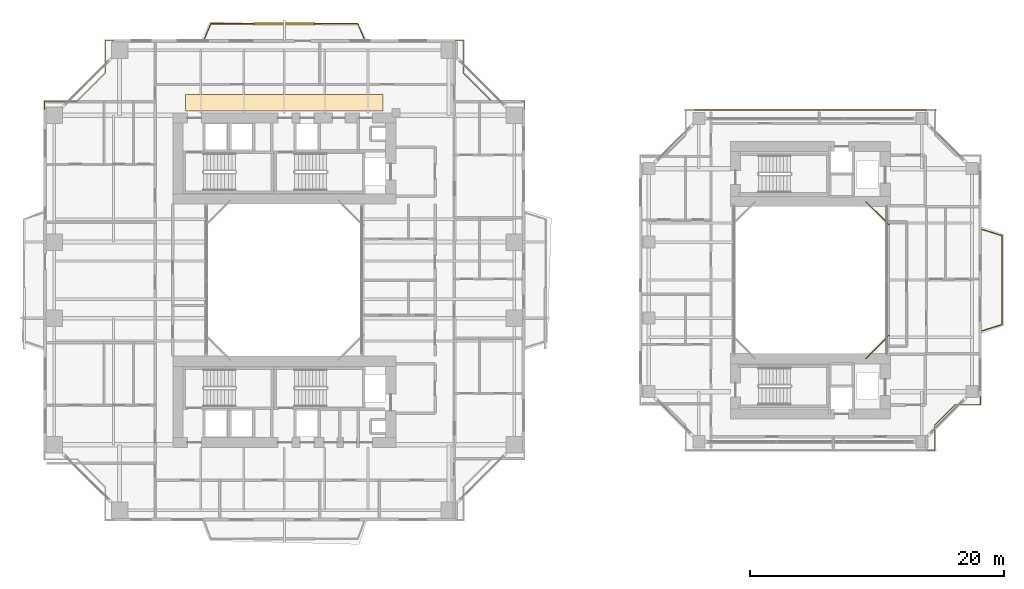
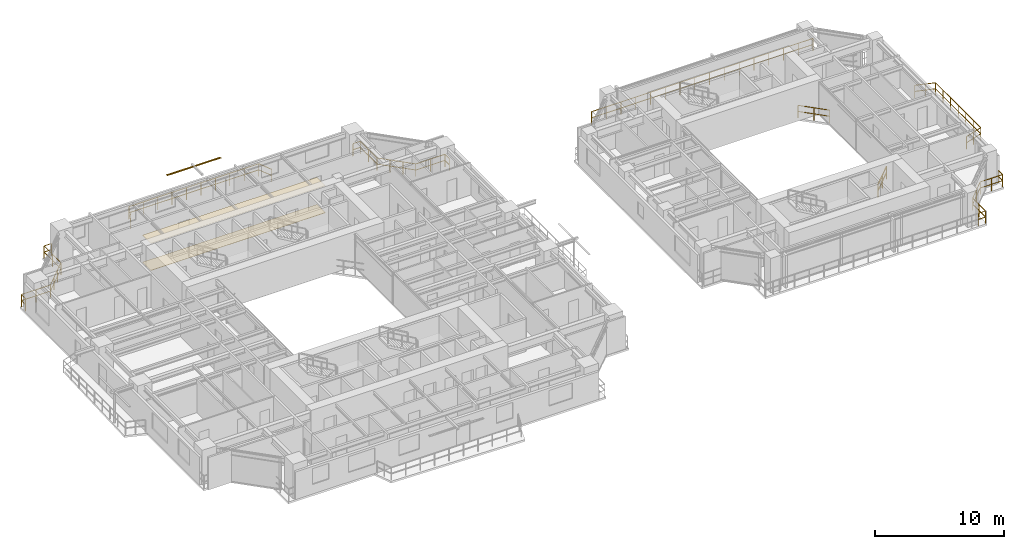
# One storey, part 23 of 24: 8 railings, 2 coverings, 1 shading device.
"""IFC4 building model written with IfcOpenShell, lengths in metres."""

import ifcopenshell
import ifcopenshell.guid

model = None  # the IFC model being written
_history = None  # IfcOwnerHistory: only IFC2X3 demands one
_inside = {}  # id of a spatial element -> (the spatial element, [elements in it])
_under = {}  # id of a project, library or spatial element -> (it, [spatial elements below it])
_declared = {}  # id of a project -> (the project, [libraries it declares])
_typed = {}  # id of a type object -> (the type object, [elements of that type])
_made_of = {}  # id of a material, layer set ... -> (it, [elements and type objects made of it])


def new_model(schema):
    """Start an empty IFC model of exactly this schema.

    Asked for "IFC4X3", IfcOpenShell would pick the latest addendum, in which some entities
    have other attributes; the version numbers below select the first issue.
    IFC2X3 requires an IfcOwnerHistory on every rooted entity: one is made here for all.
    """
    global model, _history
    if schema == "IFC4X3":
        model = ifcopenshell.file(schema_version=(4, 3, 0, 0))
    else:
        model = ifcopenshell.file(schema=schema)
    _inside.clear()
    _under.clear()
    _declared.clear()
    _typed.clear()
    _made_of.clear()
    _history = None
    if model.schema == "IFC2X3":
        org = make("IfcOrganization", Name="unknown")
        user = make(
            "IfcPersonAndOrganization",
            ThePerson=make("IfcPerson", FamilyName="unknown"),
            TheOrganization=org,
        )
        app = make(
            "IfcApplication",
            ApplicationDeveloper=org,
            Version="unknown",
            ApplicationFullName="unknown",
            ApplicationIdentifier="unknown",
        )
        _history = make(
            "IfcOwnerHistory",
            OwningUser=user,
            OwningApplication=app,
            ChangeAction="ADDED",
            CreationDate=0,
        )
    return model


def make(cls, **values):
    """One entity of the class cls with the attributes given. An attribute that is None is left unset."""
    return model.create_entity(
        cls, **{name: value for name, value in values.items() if value is not None}
    )


def rooted(cls, **values):
    """An entity with a GlobalId (a new one), such as an element, a storey or a relation."""
    return make(cls, GlobalId=ifcopenshell.guid.new(), OwnerHistory=_history, **values)


def si_unit(unit_type, name, prefix=None):
    """IfcSIUnit, for example si_unit("LENGTHUNIT", "METRE", prefix="MILLI")."""
    return make("IfcSIUnit", UnitType=unit_type, Prefix=prefix, Name=name)


def assignment(units):
    """IfcUnitAssignment: the units of a project."""
    return None if units is None else make("IfcUnitAssignment", Units=units)


def point(xyz):
    """IfcCartesianPoint."""
    return None if xyz is None else make("IfcCartesianPoint", Coordinates=xyz)


def direction(xyz):
    """IfcDirection."""
    return None if xyz is None else make("IfcDirection", DirectionRatios=xyz)


def frame(location, z_axis=None, x_axis=None):
    """IfcAxis2Placement3D, a coordinate frame: its origin and axes. An axis left out is left unset."""
    return make(
        "IfcAxis2Placement3D",
        Location=point(location),
        Axis=direction(z_axis),
        RefDirection=direction(x_axis),
    )


def frame_2d(location, x_axis=None):
    """IfcAxis2Placement2D, a coordinate frame in the plane: its origin and x axis."""
    return make(
        "IfcAxis2Placement2D", Location=point(location), RefDirection=direction(x_axis)
    )


def origin():
    """The frame at (0, 0, 0) with its axes left unset."""
    return frame((0.0, 0.0, 0.0))


def origin_2d():
    """The frame at (0, 0) in the plane with its x axis left unset."""
    return frame_2d((0.0, 0.0))


def place(relative_to, where):
    """IfcLocalPlacement: puts the frame where relative to a parent placement (None: the world)."""
    return make(
        "IfcLocalPlacement", PlacementRelTo=relative_to, RelativePlacement=where
    )


def context(
    kind, dimensions, precision=None, world=None, true_north=None, identifier=None
):
    """IfcGeometricRepresentationContext, for example the 3D "Model" context."""
    return make(
        "IfcGeometricRepresentationContext",
        ContextIdentifier=identifier,
        ContextType=kind,
        CoordinateSpaceDimension=dimensions,
        Precision=precision,
        WorldCoordinateSystem=world,
        TrueNorth=true_north,
    )


def subcontext(parent, identifier, kind, view, scale=None):
    """IfcGeometricRepresentationSubContext, for example "Body" below "Model"."""
    return make(
        "IfcGeometricRepresentationSubContext",
        ContextIdentifier=identifier,
        ContextType=kind,
        ParentContext=parent,
        TargetScale=scale,
        TargetView=view,
    )


def project(units=None, contexts=None):
    """IfcProject with its units and contexts."""
    return rooted(
        "IfcProject",
        Name="project",
        RepresentationContexts=contexts,
        UnitsInContext=assignment(units),
    )


def spatial(cls, under=None, at=None, **own):
    """A site, building, storey or space (cls), placed at a placement, below another one or the project."""
    s = rooted(cls, ObjectPlacement=at, **own)
    if under is not None:
        _under.setdefault(under.id(), (under, []))[1].append(s)
    return s


def polyline(points):
    """IfcPolyline through the points."""
    return make("IfcPolyline", Points=[point(p) for p in points])


def profile(cls, at=None, kind="AREA", **sizes):
    """A parametric profile (cls). Its sizes go by their IFC names, for example OverallWidth=200.0."""
    return make(cls, ProfileType=kind, Position=at, **sizes)


def rectangle(**sizes):
    """IfcRectangleProfileDef."""
    return profile("IfcRectangleProfileDef", **sizes)


def outline(outer, holes=None, kind="AREA"):
    """IfcArbitraryClosedProfileDef: a profile drawn as a closed curve; with holes, ...WithVoids."""
    if holes is None:
        return make("IfcArbitraryClosedProfileDef", ProfileType=kind, OuterCurve=outer)
    return make(
        "IfcArbitraryProfileDefWithVoids",
        ProfileType=kind,
        OuterCurve=outer,
        InnerCurves=holes,
    )


def extrude(swept, where, along, depth):
    """IfcExtrudedAreaSolid: the profile swept, set in the frame where, extruded along a direction by depth."""
    return make(
        "IfcExtrudedAreaSolid",
        SweptArea=swept,
        Position=where,
        ExtrudedDirection=direction(along),
        Depth=depth,
    )


def shape(context_of_items, identifier, shape_type, items):
    """IfcShapeRepresentation: the items that make up one representation, for example the "Body"."""
    return make(
        "IfcShapeRepresentation",
        ContextOfItems=context_of_items,
        RepresentationIdentifier=identifier,
        RepresentationType=shape_type,
        Items=items,
    )


def source(mapping_origin, context_of_items, identifier, shape_type, items):
    """IfcRepresentationMap: a shape defined once, which mapped items show again and again."""
    return make(
        "IfcRepresentationMap",
        MappingOrigin=mapping_origin,
        MappedRepresentation=shape(context_of_items, identifier, shape_type, items),
    )


def transform(
    local_origin,
    x_axis=None,
    y_axis=None,
    z_axis=None,
    scale=None,
    scale2=None,
    scale3=None,
    uniform=True,
):
    """IfcCartesianTransformationOperator3D, or its non-uniform kind. x_axis, y_axis, z_axis: its Axis1, 2, 3."""
    if uniform:
        return make(
            "IfcCartesianTransformationOperator3D",
            Axis1=direction(x_axis),
            Axis2=direction(y_axis),
            LocalOrigin=point(local_origin),
            Scale=scale,
            Axis3=direction(z_axis),
        )
    return make(
        "IfcCartesianTransformationOperator3DnonUniform",
        Axis1=direction(x_axis),
        Axis2=direction(y_axis),
        LocalOrigin=point(local_origin),
        Scale=scale,
        Axis3=direction(z_axis),
        Scale2=scale2,
        Scale3=scale3,
    )


def mapped(mapping_source, mapping_target):
    """IfcMappedItem: shows the shape of a source again, moved by a transform."""
    return make(
        "IfcMappedItem", MappingSource=mapping_source, MappingTarget=mapping_target
    )


def material(Name=None, Category=None):
    """IfcMaterial."""
    return make("IfcMaterial", Name=Name, Category=Category)


def layer(
    of_material, thickness, ventilated=None, Name=None, Category=None, Priority=None
):
    """IfcMaterialLayer: one layer of a wall or slab, of a material (None: an air gap)."""
    return make(
        "IfcMaterialLayer",
        Material=of_material,
        LayerThickness=thickness,
        IsVentilated=ventilated,
        Name=Name,
        Category=Category,
        Priority=Priority,
    )


def layer_set(layers, Name=None):
    """IfcMaterialLayerSet."""
    return make("IfcMaterialLayerSet", MaterialLayers=layers, LayerSetName=Name)


def material_profile(
    of_material, cross_section, Name=None, Category=None, Priority=None
):
    """IfcMaterialProfile: a cross section and its material."""
    return make(
        "IfcMaterialProfile",
        Name=Name,
        Material=of_material,
        Profile=cross_section,
        Priority=Priority,
        Category=Category,
    )


def profile_set(profiles, Name=None, composite=None):
    """IfcMaterialProfileSet."""
    return make(
        "IfcMaterialProfileSet",
        Name=Name,
        MaterialProfiles=profiles,
        CompositeProfile=composite,
    )


def made_of(thing, what):
    """Note that an element or type object is made of a material, layer set ...; save() writes the relation."""
    if what is not None:
        _made_of.setdefault(what.id(), (what, []))[1].append(thing)
    return thing


def type_object(cls, material=None, **own):
    """A type object (cls), such as IfcWallType, which elements share."""
    return made_of(rooted(cls, **own), material)


def element(
    cls,
    number,
    at=None,
    inside=None,
    cuts=None,
    type_object=None,
    material=None,
    context=None,
    identifier="Body",
    shape_type=None,
    held_by="IfcProductDefinitionShape",
    body=None,
    shapes=None,
    **own,
):
    """One element of the class cls, such as IfcWall. Its Tag is "e" and its number.

    at: its placement. inside: the storey or other place that contains it. cuts: it is an
    opening in that element (IfcRelVoidsElement). A single representation is given by context,
    identifier, shape_type and body (its items); several are given by shapes. held_by: the class
    of the entity that holds the representations. save() writes the other relations.
    """
    e = rooted(cls, Tag="e%d" % number, ObjectPlacement=at, **own)
    if body is not None:
        shapes = [shape(context, identifier, shape_type, body)]
    if shapes is not None:
        e.Representation = make(held_by, Representations=shapes)
    if inside is not None:
        _inside.setdefault(inside.id(), (inside, []))[1].append(e)
    if cuts is not None:
        rooted(
            "IfcRelVoidsElement", RelatingBuildingElement=cuts, RelatedOpeningElement=e
        )
    if type_object is not None:
        _typed.setdefault(type_object.id(), (type_object, []))[1].append(e)
    return made_of(e, material)


def aggregate(whole, parts):
    """IfcRelAggregates: a whole, such as a stair, and the parts it consists of."""
    return rooted("IfcRelAggregates", RelatingObject=whole, RelatedObjects=parts)


def save(model, path):
    """Write the relations noted so far, then the file.

    IfcRelAggregates (storeys below a building ...), IfcRelContainedInSpatialStructure (elements
    in a storey), IfcRelDefinesByType, IfcRelAssociatesMaterial and IfcRelDeclares: one each for
    every whole, place, type object, material and project.
    """
    for whole, parts in _under.values():
        aggregate(whole, parts)
    for where, things in _inside.values():
        rooted(
            "IfcRelContainedInSpatialStructure",
            RelatedElements=things,
            RelatingStructure=where,
        )
    for kind, things in _typed.values():
        rooted("IfcRelDefinesByType", RelatedObjects=things, RelatingType=kind)
    for what, things in _made_of.values():
        rooted("IfcRelAssociatesMaterial", RelatedObjects=things, RelatingMaterial=what)
    for by, libraries in _declared.values():
        rooted("IfcRelDeclares", RelatingContext=by, RelatedDefinitions=libraries)
    model.write(path)


model = new_model("IFC4")

# Units and contexts
model_context = context("Model", 3, precision=1e-05, world=origin(), true_north=direction((0.0, 1.0)))
body_context = subcontext(model_context, "Body", "Model", "MODEL_VIEW")
ifc_project = project(units=[si_unit("LENGTHUNIT", "METRE"), si_unit("AREAUNIT", "SQUARE_METRE"), si_unit("VOLUMEUNIT", "CUBIC_METRE"), si_unit("PLANEANGLEUNIT", "RADIAN"), si_unit("MASSUNIT", "GRAM", prefix="KILO"), si_unit("THERMODYNAMICTEMPERATUREUNIT", "KELVIN"), si_unit("POWERUNIT", "WATT")], contexts=[model_context])

# Site, building, storey
site_placement = place(None, origin())
site = spatial("IfcSite", under=ifc_project, at=site_placement, CompositionType="ELEMENT")
building_placement = place(site_placement, origin())
building = spatial("IfcBuilding", under=site, at=building_placement, Name="Qiaomeng Ring Towers", CompositionType="ELEMENT")
storey_placement = place(building_placement, frame((0.0, 0.0, 56.75)))
storey = spatial("IfcBuildingStorey", under=building, at=storey_placement, Name="L15", CompositionType="ELEMENT", Elevation=56.75)

# Coverings
ifc_material_1 = material(Name="Moisture-resistant gypsum ceiling board", Category="gypsum")
ifc_layer_1 = layer(ifc_material_1, 0.030029296875, Name="Moisture-resistant gypsum ceiling board")
ifc_layer_set_1 = layer_set([ifc_layer_1], Name="Moisture-resistant gypsum ceiling board")
covering_type_1 = type_object("IfcCoveringType", Name="ARC-COV-CEIL2", PredefinedType="CEILING", material=ifc_layer_set_1)
covering_1_placement = place(storey_placement, frame((0.0, 0.0, 2.550048828125)))
element("IfcCovering", 1, at=covering_1_placement, inside=storey, type_object=covering_type_1, Name="L15 Corridor Acoustic Ceiling", PredefinedType="CEILING", context=body_context, shape_type="SweptSolid", body=[
    extrude(outline(polyline([(11.199951171875, 36.35009765625), (11.199951171875, 37.64990234375), (26.800048828125, 37.64990234375), (26.800048828125, 36.35009765625), (11.199951171875, 36.35009765625)])), origin(), (0.0, 0.0, 1.0), 0.02490234375),
])
ifc_material_2 = material(Name="Vitrified porcelain floor tile", Category="ceramic")
ifc_layer_2 = layer(ifc_material_2, 0.02001953125, Name="Vitrified porcelain floor tile")
ifc_layer_set_2 = layer_set([ifc_layer_2], Name="Vitrified porcelain floor tile")
covering_type_2 = type_object("IfcCoveringType", Name="ARC-COV-FLR1", PredefinedType="FLOORING", material=ifc_layer_set_2)
covering_2_placement = place(storey_placement, origin())
element("IfcCovering", 2, at=covering_2_placement, inside=storey, type_object=covering_type_2, Name="L15 Corridor Stone Flooring", PredefinedType="FLOORING", context=body_context, shape_type="SweptSolid", body=[
    extrude(outline(polyline([(11.199951171875, 36.35009765625), (11.199951171875, 37.64990234375), (26.800048828125, 37.64990234375), (26.800048828125, 36.35009765625), (11.199951171875, 36.35009765625)])), origin(), (0.0, 0.0, 1.0), 0.02001953125),
])

# Railings
ifc_material_3 = material(Name="Low-E pale-green laminated safety glass", Category="glass")
railing_type = type_object("IfcRailingType", Name="ARC-RL-BAL1", PredefinedType="BALUSTRADE", material=ifc_material_3)
railing_1_placement = place(storey_placement, frame((37.919921875, 36.469970703125, 0.0)))
element("IfcRailing", 3, at=railing_1_placement, inside=storey, type_object=railing_type, Name="L15 Balustrade ARC-BAL-NOTCH1-L15-NE", PredefinedType="BALUSTRADE", context=body_context, shape_type="SweptSolid", body=[
    extrude(rectangle(XDim=0.048095703125, YDim=0.048095703125, at=origin_2d()), frame((0.0, 0.0, 1.17578125), z_axis=(0.0, 1.0, 0.0), x_axis=(-1.0, 0.0, 0.0)), (0.0, 0.0, 1.0), 0.650146484375),
    extrude(rectangle(XDim=0.048095703125, YDim=0.048095703125, at=origin_2d()), frame((0.0, 0.0, 0.60009765625), z_axis=(0.0, 1.0, 0.0), x_axis=(-1.0, 0.0, 0.0)), (0.0, 0.0, 1.0), 0.650146484375),
    extrude(rectangle(XDim=0.048095703125, YDim=0.048095703125, at=origin_2d()), frame((0.0, 0.650146484375, 1.17578125), z_axis=(-1.0, 0.0, 0.0), x_axis=(0.0, -1.0, 0.0)), (0.0, 0.0, 1.0), 2.599853515625),
    extrude(rectangle(XDim=0.048095703125, YDim=0.048095703125, at=origin_2d()), frame((0.0, 0.650146484375, 0.60009765625), z_axis=(-1.0, 0.0, 0.0), x_axis=(0.0, -1.0, 0.0)), (0.0, 0.0, 1.0), 2.599853515625),
    extrude(rectangle(XDim=0.048095703125, YDim=0.048095703125, at=origin_2d()), frame((-2.599853515625, 0.650146484375, 1.17578125), z_axis=(-0.707106781187, 0.707106781187, 0.0), x_axis=(-0.707106781187, -0.707106781187, 0.0)), (0.0, 0.0, 1.0), 3.111083984375),
    extrude(rectangle(XDim=0.048095703125, YDim=0.048095703125, at=origin_2d()), frame((-2.599853515625, 0.650146484375, 0.60009765625), z_axis=(-0.707106781187, 0.707106781187, 0.0), x_axis=(-0.707106781187, -0.707106781187, 0.0)), (0.0, 0.0, 1.0), 3.111083984375),
    extrude(rectangle(XDim=0.048095703125, YDim=0.048095703125, at=origin_2d()), frame((-4.7998046875, 2.85009765625, 1.17578125), z_axis=(0.0, 1.0, 0.0), x_axis=(-1.0, 0.0, 0.0)), (0.0, 0.0, 1.0), 2.599853515625),
    extrude(rectangle(XDim=0.048095703125, YDim=0.048095703125, at=origin_2d()), frame((-4.7998046875, 2.85009765625, 0.60009765625), z_axis=(0.0, 1.0, 0.0), x_axis=(-1.0, 0.0, 0.0)), (0.0, 0.0, 1.0), 2.599853515625),
    extrude(rectangle(XDim=0.048095703125, YDim=0.048095703125, at=origin_2d()), frame((-4.7998046875, 5.449951171875, 1.17578125), z_axis=(-1.0, 0.0, 0.0), x_axis=(0.0, -1.0, 0.0)), (0.0, 0.0, 1.0), 0.650146484375),
    extrude(rectangle(XDim=0.048095703125, YDim=0.048095703125, at=origin_2d()), frame((-4.7998046875, 5.449951171875, 0.60009765625), z_axis=(-1.0, 0.0, 0.0), x_axis=(0.0, -1.0, 0.0)), (0.0, 0.0, 1.0), 0.650146484375),
    extrude(rectangle(XDim=0.0419921875, YDim=0.0419921875, at=origin_2d()), origin(), (0.0, 0.0, 1.0), 1.15185546875),
    extrude(rectangle(XDim=0.0419921875, YDim=0.0419921875, at=origin_2d()), frame((0.0, 0.650146484375, 0.0)), (0.0, 0.0, 1.0), 1.15185546875),
    extrude(rectangle(XDim=0.0419921875, YDim=0.0419921875, at=origin_2d()), frame((-1.2998046875, 0.650146484375, 0.0)), (0.0, 0.0, 1.0), 1.15185546875),
    extrude(rectangle(XDim=0.0419921875, YDim=0.0419921875, at=origin_2d()), frame((-2.599853515625, 0.650146484375, 0.0)), (0.0, 0.0, 1.0), 1.15185546875),
    extrude(rectangle(XDim=0.0419921875, YDim=0.0419921875, at=origin_2d()), frame((-3.333251953125, 1.383544921875, 0.0)), (0.0, 0.0, 1.0), 1.15185546875),
    extrude(rectangle(XDim=0.0419921875, YDim=0.0419921875, at=origin_2d()), frame((-4.06640625, 2.11669921875, 0.0)), (0.0, 0.0, 1.0), 1.15185546875),
    extrude(rectangle(XDim=0.0419921875, YDim=0.0419921875, at=origin_2d()), frame((-4.7998046875, 2.85009765625, 0.0)), (0.0, 0.0, 1.0), 1.15185546875),
    extrude(rectangle(XDim=0.0419921875, YDim=0.0419921875, at=origin_2d()), frame((-4.7998046875, 4.14990234375, 0.0)), (0.0, 0.0, 1.0), 1.15185546875),
    extrude(rectangle(XDim=0.0419921875, YDim=0.0419921875, at=origin_2d()), frame((-4.7998046875, 5.449951171875, 0.0)), (0.0, 0.0, 1.0), 1.15185546875),
    extrude(rectangle(XDim=0.0419921875, YDim=0.0419921875, at=origin_2d()), frame((-5.449951171875, 5.449951171875, 0.0)), (0.0, 0.0, 1.0), 1.15185546875),
])
railing_2_placement = place(storey_placement, frame((5.530029296875, 41.919921875, 0.0)))
element("IfcRailing", 4, at=railing_2_placement, inside=storey, type_object=railing_type, Name="L15 Balustrade ARC-BAL-NOTCH1-L15-NW", PredefinedType="BALUSTRADE", context=body_context, shape_type="SweptSolid", body=[
    extrude(rectangle(XDim=0.048095703125, YDim=0.048095703125, at=origin_2d()), frame((0.0, 0.0, 1.17578125), z_axis=(-1.0, 0.0, 0.0), x_axis=(0.0, -1.0, 0.0)), (0.0, 0.0, 1.0), 0.650146484375),
    extrude(rectangle(XDim=0.048095703125, YDim=0.048095703125, at=origin_2d()), frame((0.0, 0.0, 0.60009765625), z_axis=(-1.0, 0.0, 0.0), x_axis=(0.0, -1.0, 0.0)), (0.0, 0.0, 1.0), 0.650146484375),
    extrude(rectangle(XDim=0.048095703125, YDim=0.048095703125, at=origin_2d()), frame((-0.650146484375, 0.0, 1.17578125), z_axis=(0.0, -1.0, 0.0), x_axis=(1.0, 0.0, 0.0)), (0.0, 0.0, 1.0), 2.599853515625),
    extrude(rectangle(XDim=0.048095703125, YDim=0.048095703125, at=origin_2d()), frame((-0.650146484375, 0.0, 0.60009765625), z_axis=(0.0, -1.0, 0.0), x_axis=(1.0, 0.0, 0.0)), (0.0, 0.0, 1.0), 2.599853515625),
    extrude(rectangle(XDim=0.048095703125, YDim=0.048095703125, at=origin_2d()), frame((-0.650146484375, -2.599853515625, 1.17578125), z_axis=(-0.707106781187, -0.707106781187, 0.0), x_axis=(0.707106781187, -0.707106781187, 0.0)), (0.0, 0.0, 1.0), 3.111083984375),
    extrude(rectangle(XDim=0.048095703125, YDim=0.048095703125, at=origin_2d()), frame((-0.650146484375, -2.599853515625, 0.60009765625), z_axis=(-0.707106781187, -0.707106781187, 0.0), x_axis=(0.707106781187, -0.707106781187, 0.0)), (0.0, 0.0, 1.0), 3.111083984375),
    extrude(rectangle(XDim=0.048095703125, YDim=0.048095703125, at=origin_2d()), frame((-2.85009765625, -4.7998046875, 1.17578125), z_axis=(-1.0, 0.0, 0.0), x_axis=(0.0, -1.0, 0.0)), (0.0, 0.0, 1.0), 2.599853515625),
    extrude(rectangle(XDim=0.048095703125, YDim=0.048095703125, at=origin_2d()), frame((-2.85009765625, -4.7998046875, 0.60009765625), z_axis=(-1.0, 0.0, 0.0), x_axis=(0.0, -1.0, 0.0)), (0.0, 0.0, 1.0), 2.599853515625),
    extrude(rectangle(XDim=0.048095703125, YDim=0.048095703125, at=origin_2d()), frame((-5.449951171875, -4.7998046875, 1.17578125), z_axis=(0.0, -1.0, 0.0), x_axis=(1.0, 0.0, 0.0)), (0.0, 0.0, 1.0), 0.650146484375),
    extrude(rectangle(XDim=0.048095703125, YDim=0.048095703125, at=origin_2d()), frame((-5.449951171875, -4.7998046875, 0.60009765625), z_axis=(0.0, -1.0, 0.0), x_axis=(1.0, 0.0, 0.0)), (0.0, 0.0, 1.0), 0.650146484375),
    extrude(rectangle(XDim=0.0419921875, YDim=0.0419921875, at=origin_2d()), origin(), (0.0, 0.0, 1.0), 1.15185546875),
    extrude(rectangle(XDim=0.0419921875, YDim=0.0419921875, at=origin_2d()), frame((-0.650146484375, 0.0, 0.0)), (0.0, 0.0, 1.0), 1.15185546875),
    extrude(rectangle(XDim=0.0419921875, YDim=0.0419921875, at=origin_2d()), frame((-0.650146484375, -1.2998046875, 0.0)), (0.0, 0.0, 1.0), 1.15185546875),
    extrude(rectangle(XDim=0.0419921875, YDim=0.0419921875, at=origin_2d()), frame((-0.650146484375, -2.599853515625, 0.0)), (0.0, 0.0, 1.0), 1.15185546875),
    extrude(rectangle(XDim=0.0419921875, YDim=0.0419921875, at=origin_2d()), frame((-1.383544921875, -3.333251953125, 0.0)), (0.0, 0.0, 1.0), 1.15185546875),
    extrude(rectangle(XDim=0.0419921875, YDim=0.0419921875, at=origin_2d()), frame((-2.11669921875, -4.06640625, 0.0)), (0.0, 0.0, 1.0), 1.15185546875),
    extrude(rectangle(XDim=0.0419921875, YDim=0.0419921875, at=origin_2d()), frame((-2.85009765625, -4.7998046875, 0.0)), (0.0, 0.0, 1.0), 1.15185546875),
    extrude(rectangle(XDim=0.0419921875, YDim=0.0419921875, at=origin_2d()), frame((-4.14990234375, -4.7998046875, 0.0)), (0.0, 0.0, 1.0), 1.15185546875),
    extrude(rectangle(XDim=0.0419921875, YDim=0.0419921875, at=origin_2d()), frame((-5.449951171875, -4.7998046875, 0.0)), (0.0, 0.0, 1.0), 1.15185546875),
    extrude(rectangle(XDim=0.0419921875, YDim=0.0419921875, at=origin_2d()), frame((-5.449951171875, -5.449951171875, 0.0)), (0.0, 0.0, 1.0), 1.15185546875),
])
railing_3_placement = place(storey_placement, frame((12.699951171875, 42.050048828125, 0.0)))
element("IfcRailing", 5, at=railing_3_placement, inside=storey, type_object=railing_type, Name="L15 Balustrade ARC-BAL-L15-T1-N", PredefinedType="BALUSTRADE", context=body_context, shape_type="SweptSolid", body=[
    extrude(rectangle(XDim=0.048095703125, YDim=0.048095703125, at=origin_2d()), frame((0.0, 0.0, 1.17578125), z_axis=(0.39299272826, 0.919541579014, 0.0), x_axis=(-0.919541579014, 0.39299272826, 0.0)), (0.0, 0.0, 1.0), 1.272216796875),
    extrude(rectangle(XDim=0.048095703125, YDim=0.048095703125, at=origin_2d()), frame((0.0, 0.0, 0.60009765625), z_axis=(0.39299272826, 0.919541579014, 0.0), x_axis=(-0.919541579014, 0.39299272826, 0.0)), (0.0, 0.0, 1.0), 1.272216796875),
    extrude(rectangle(XDim=0.048095703125, YDim=0.048095703125, at=origin_2d()), frame((0.5, 1.169921875, 1.17578125), z_axis=(1.0, 0.0, 0.0), x_axis=(0.0, 1.0, 0.0)), (0.0, 0.0, 1.0), 11.60009765625),
    extrude(rectangle(XDim=0.048095703125, YDim=0.048095703125, at=origin_2d()), frame((0.5, 1.169921875, 0.60009765625), z_axis=(1.0, 0.0, 0.0), x_axis=(0.0, 1.0, 0.0)), (0.0, 0.0, 1.0), 11.60009765625),
    extrude(rectangle(XDim=0.048095703125, YDim=0.048095703125, at=origin_2d()), frame((12.10009765625, 1.169921875, 1.17578125), z_axis=(0.39299272826, -0.919541579014, 0.0), x_axis=(0.919541579014, 0.39299272826, 0.0)), (0.0, 0.0, 1.0), 1.272216796875),
    extrude(rectangle(XDim=0.048095703125, YDim=0.048095703125, at=origin_2d()), frame((12.10009765625, 1.169921875, 0.60009765625), z_axis=(0.39299272826, -0.919541579014, 0.0), x_axis=(0.919541579014, 0.39299272826, 0.0)), (0.0, 0.0, 1.0), 1.272216796875),
    extrude(rectangle(XDim=0.0419921875, YDim=0.0419921875, at=origin_2d()), origin(), (0.0, 0.0, 1.0), 1.15185546875),
    extrude(rectangle(XDim=0.0419921875, YDim=0.0419921875, at=origin_2d()), frame((0.5, 1.169921875, 0.0)), (0.0, 0.0, 1.0), 1.15185546875),
    extrude(rectangle(XDim=0.0419921875, YDim=0.0419921875, at=origin_2d()), frame((1.788818359375, 1.169921875, 0.0)), (0.0, 0.0, 1.0), 1.15185546875),
    extrude(rectangle(XDim=0.0419921875, YDim=0.0419921875, at=origin_2d()), frame((3.077880859375, 1.169921875, 0.0)), (0.0, 0.0, 1.0), 1.15185546875),
    extrude(rectangle(XDim=0.0419921875, YDim=0.0419921875, at=origin_2d()), frame((4.36669921875, 1.169921875, 0.0)), (0.0, 0.0, 1.0), 1.15185546875),
    extrude(rectangle(XDim=0.0419921875, YDim=0.0419921875, at=origin_2d()), frame((5.655517578125, 1.169921875, 0.0)), (0.0, 0.0, 1.0), 1.15185546875),
    extrude(rectangle(XDim=0.0419921875, YDim=0.0419921875, at=origin_2d()), frame((6.944580078125, 1.169921875, 0.0)), (0.0, 0.0, 1.0), 1.15185546875),
    extrude(rectangle(XDim=0.0419921875, YDim=0.0419921875, at=origin_2d()), frame((8.2333984375, 1.169921875, 0.0)), (0.0, 0.0, 1.0), 1.15185546875),
    extrude(rectangle(XDim=0.0419921875, YDim=0.0419921875, at=origin_2d()), frame((9.522216796875, 1.169921875, 0.0)), (0.0, 0.0, 1.0), 1.15185546875),
    extrude(rectangle(XDim=0.0419921875, YDim=0.0419921875, at=origin_2d()), frame((10.811279296875, 1.169921875, 0.0)), (0.0, 0.0, 1.0), 1.15185546875),
    extrude(rectangle(XDim=0.0419921875, YDim=0.0419921875, at=origin_2d()), frame((12.10009765625, 1.169921875, 0.0)), (0.0, 0.0, 1.0), 1.15185546875),
    extrude(rectangle(XDim=0.0419921875, YDim=0.0419921875, at=origin_2d()), frame((12.60009765625, 0.0, 0.0)), (0.0, 0.0, 1.0), 1.15185546875),
])
railing_4_placement = place(storey_placement, frame((64.8798828125, 16.820068359375, 0.0)))
element("IfcRailing", 6, at=railing_4_placement, inside=storey, type_object=railing_type, Name="L15 Balustrade ARC-BAL-WELL2-L15-1", PredefinedType="BALUSTRADE", context=body_context, shape_type="SweptSolid", body=[
    extrude(rectangle(XDim=0.048095703125, YDim=0.048095703125, at=origin_2d()), frame((0.0, 0.0, 1.17578125), z_axis=(0.707106781187, 0.707106781187, 0.0), x_axis=(-0.707106781187, 0.707106781187, 0.0)), (0.0, 0.0, 1.0), 2.545654296875),
    extrude(rectangle(XDim=0.048095703125, YDim=0.048095703125, at=origin_2d()), frame((0.0, 0.0, 0.60009765625), z_axis=(0.707106781187, 0.707106781187, 0.0), x_axis=(-0.707106781187, 0.707106781187, 0.0)), (0.0, 0.0, 1.0), 2.545654296875),
    extrude(rectangle(XDim=0.0419921875, YDim=0.0419921875, at=origin_2d()), origin(), (0.0, 0.0, 1.0), 1.15185546875),
    extrude(rectangle(XDim=0.0419921875, YDim=0.0419921875, at=origin_2d()), frame((0.89990234375, 0.89990234375, 0.0)), (0.0, 0.0, 1.0), 1.15185546875),
    extrude(rectangle(XDim=0.0419921875, YDim=0.0419921875, at=origin_2d()), frame((1.800048828125, 1.800048828125, 0.0)), (0.0, 0.0, 1.0), 1.15185546875),
])
railing_5_placement = place(storey_placement, frame((66.679931640625, 27.3798828125, 0.0)))
element("IfcRailing", 7, at=railing_5_placement, inside=storey, type_object=railing_type, Name="L15 Balustrade ARC-BAL-WELL2-L15-2", PredefinedType="BALUSTRADE", context=body_context, shape_type="SweptSolid", body=[
    extrude(rectangle(XDim=0.048095703125, YDim=0.048095703125, at=origin_2d()), frame((0.0, 0.0, 1.17578125), z_axis=(-0.707106781187, 0.707106781187, 0.0), x_axis=(-0.707106781187, -0.707106781187, 0.0)), (0.0, 0.0, 1.0), 2.545654296875),
    extrude(rectangle(XDim=0.048095703125, YDim=0.048095703125, at=origin_2d()), frame((0.0, 0.0, 0.60009765625), z_axis=(-0.707106781187, 0.707106781187, 0.0), x_axis=(-0.707106781187, -0.707106781187, 0.0)), (0.0, 0.0, 1.0), 2.545654296875),
    extrude(rectangle(XDim=0.0419921875, YDim=0.0419921875, at=origin_2d()), origin(), (0.0, 0.0, 1.0), 1.15185546875),
    extrude(rectangle(XDim=0.0419921875, YDim=0.0419921875, at=origin_2d()), frame((-0.89990234375, 0.89990234375, 0.0)), (0.0, 0.0, 1.0), 1.15185546875),
    extrude(rectangle(XDim=0.0419921875, YDim=0.0419921875, at=origin_2d()), frame((-1.800048828125, 1.800048828125, 0.0)), (0.0, 0.0, 1.0), 1.15185546875),
])
railing_6_placement = place(storey_placement, frame((69.669921875, 9.580078125, 0.0)))
element("IfcRailing", 8, at=railing_6_placement, inside=storey, type_object=railing_type, Name="L15 Balustrade ARC-BAL-NOTCH2-L15-SE", PredefinedType="BALUSTRADE", context=body_context, shape_type="SweptSolid", body=[
    extrude(rectangle(XDim=0.048095703125, YDim=0.048095703125, at=origin_2d()), frame((0.0, 0.0, 1.17578125), z_axis=(1.0, 0.0, 0.0), x_axis=(0.0, 1.0, 0.0)), (0.0, 0.0, 1.0), 0.650146484375),
    extrude(rectangle(XDim=0.048095703125, YDim=0.048095703125, at=origin_2d()), frame((0.0, 0.0, 0.60009765625), z_axis=(1.0, 0.0, 0.0), x_axis=(0.0, 1.0, 0.0)), (0.0, 0.0, 1.0), 0.650146484375),
    extrude(rectangle(XDim=0.048095703125, YDim=0.048095703125, at=origin_2d()), frame((0.650146484375, 0.0, 1.17578125), z_axis=(0.0, 1.0, 0.0), x_axis=(-1.0, 0.0, 0.0)), (0.0, 0.0, 1.0), 2.0),
    extrude(rectangle(XDim=0.048095703125, YDim=0.048095703125, at=origin_2d()), frame((0.650146484375, 0.0, 0.60009765625), z_axis=(0.0, 1.0, 0.0), x_axis=(-1.0, 0.0, 0.0)), (0.0, 0.0, 1.0), 2.0),
    extrude(rectangle(XDim=0.048095703125, YDim=0.048095703125, at=origin_2d()), frame((0.650146484375, 2.0, 1.17578125), z_axis=(0.707106781187, 0.707106781187, 0.0), x_axis=(-0.707106781187, 0.707106781187, 0.0)), (0.0, 0.0, 1.0), 2.262451171875),
    extrude(rectangle(XDim=0.048095703125, YDim=0.048095703125, at=origin_2d()), frame((0.650146484375, 2.0, 0.60009765625), z_axis=(0.707106781187, 0.707106781187, 0.0), x_axis=(-0.707106781187, 0.707106781187, 0.0)), (0.0, 0.0, 1.0), 2.262451171875),
    extrude(rectangle(XDim=0.048095703125, YDim=0.048095703125, at=origin_2d()), frame((2.25, 3.599853515625, 1.17578125), z_axis=(1.0, 0.0, 0.0), x_axis=(0.0, 1.0, 0.0)), (0.0, 0.0, 1.0), 2.0),
    extrude(rectangle(XDim=0.048095703125, YDim=0.048095703125, at=origin_2d()), frame((2.25, 3.599853515625, 0.60009765625), z_axis=(1.0, 0.0, 0.0), x_axis=(0.0, 1.0, 0.0)), (0.0, 0.0, 1.0), 2.0),
    extrude(rectangle(XDim=0.048095703125, YDim=0.048095703125, at=origin_2d()), frame((4.25, 3.599853515625, 1.17578125), z_axis=(0.0, 1.0, 0.0), x_axis=(-1.0, 0.0, 0.0)), (0.0, 0.0, 1.0), 0.650146484375),
    extrude(rectangle(XDim=0.048095703125, YDim=0.048095703125, at=origin_2d()), frame((4.25, 3.599853515625, 0.60009765625), z_axis=(0.0, 1.0, 0.0), x_axis=(-1.0, 0.0, 0.0)), (0.0, 0.0, 1.0), 0.650146484375),
    extrude(rectangle(XDim=0.0419921875, YDim=0.0419921875, at=origin_2d()), origin(), (0.0, 0.0, 1.0), 1.15185546875),
    extrude(rectangle(XDim=0.0419921875, YDim=0.0419921875, at=origin_2d()), frame((0.650146484375, 0.0, 0.0)), (0.0, 0.0, 1.0), 1.15185546875),
    extrude(rectangle(XDim=0.0419921875, YDim=0.0419921875, at=origin_2d()), frame((0.650146484375, 1.0, 0.0)), (0.0, 0.0, 1.0), 1.15185546875),
    extrude(rectangle(XDim=0.0419921875, YDim=0.0419921875, at=origin_2d()), frame((0.650146484375, 2.0, 0.0)), (0.0, 0.0, 1.0), 1.15185546875),
    extrude(rectangle(XDim=0.0419921875, YDim=0.0419921875, at=origin_2d()), frame((1.4501953125, 2.7998046875, 0.0)), (0.0, 0.0, 1.0), 1.15185546875),
    extrude(rectangle(XDim=0.0419921875, YDim=0.0419921875, at=origin_2d()), frame((2.25, 3.599853515625, 0.0)), (0.0, 0.0, 1.0), 1.15185546875),
    extrude(rectangle(XDim=0.0419921875, YDim=0.0419921875, at=origin_2d()), frame((3.25, 3.599853515625, 0.0)), (0.0, 0.0, 1.0), 1.15185546875),
    extrude(rectangle(XDim=0.0419921875, YDim=0.0419921875, at=origin_2d()), frame((4.25, 3.599853515625, 0.0)), (0.0, 0.0, 1.0), 1.15185546875),
    extrude(rectangle(XDim=0.0419921875, YDim=0.0419921875, at=origin_2d()), frame((4.25, 4.25, 0.0)), (0.0, 0.0, 1.0), 1.15185546875),
])
railing_7_placement = place(storey_placement, frame((50.60009765625, 36.419921875, 0.0)))
element("IfcRailing", 9, at=railing_7_placement, inside=storey, type_object=railing_type, Name="L15 Balustrade ARC-BAL-T2N-L15", PredefinedType="BALUSTRADE", context=body_context, shape_type="SweptSolid", body=[
    extrude(rectangle(XDim=0.048095703125, YDim=0.048095703125, at=origin_2d()), frame((0.0, 0.0, 1.17578125), z_axis=(1.0, 0.0, 0.0), x_axis=(0.0, 1.0, 0.0)), (0.0, 0.0, 1.0), 19.7998046875),
    extrude(rectangle(XDim=0.048095703125, YDim=0.048095703125, at=origin_2d()), frame((0.0, 0.0, 0.60009765625), z_axis=(1.0, 0.0, 0.0), x_axis=(0.0, 1.0, 0.0)), (0.0, 0.0, 1.0), 19.7998046875),
    extrude(rectangle(XDim=0.0419921875, YDim=0.0419921875, at=origin_2d()), origin(), (0.0, 0.0, 1.0), 1.15185546875),
    extrude(rectangle(XDim=0.0419921875, YDim=0.0419921875, at=origin_2d()), frame((1.320068359375, 0.0, 0.0)), (0.0, 0.0, 1.0), 1.15185546875),
    extrude(rectangle(XDim=0.0419921875, YDim=0.0419921875, at=origin_2d()), frame((2.639892578125, 0.0, 0.0)), (0.0, 0.0, 1.0), 1.15185546875),
    extrude(rectangle(XDim=0.0419921875, YDim=0.0419921875, at=origin_2d()), frame((3.9599609375, 0.0, 0.0)), (0.0, 0.0, 1.0), 1.15185546875),
    extrude(rectangle(XDim=0.0419921875, YDim=0.0419921875, at=origin_2d()), frame((5.280029296875, 0.0, 0.0)), (0.0, 0.0, 1.0), 1.15185546875),
    extrude(rectangle(XDim=0.0419921875, YDim=0.0419921875, at=origin_2d()), frame((6.599853515625, 0.0, 0.0)), (0.0, 0.0, 1.0), 1.15185546875),
    extrude(rectangle(XDim=0.0419921875, YDim=0.0419921875, at=origin_2d()), frame((7.919921875, 0.0, 0.0)), (0.0, 0.0, 1.0), 1.15185546875),
    extrude(rectangle(XDim=0.0419921875, YDim=0.0419921875, at=origin_2d()), frame((9.239990234375, 0.0, 0.0)), (0.0, 0.0, 1.0), 1.15185546875),
    extrude(rectangle(XDim=0.0419921875, YDim=0.0419921875, at=origin_2d()), frame((10.559814453125, 0.0, 0.0)), (0.0, 0.0, 1.0), 1.15185546875),
    extrude(rectangle(XDim=0.0419921875, YDim=0.0419921875, at=origin_2d()), frame((11.8798828125, 0.0, 0.0)), (0.0, 0.0, 1.0), 1.15185546875),
    extrude(rectangle(XDim=0.0419921875, YDim=0.0419921875, at=origin_2d()), frame((13.199951171875, 0.0, 0.0)), (0.0, 0.0, 1.0), 1.15185546875),
    extrude(rectangle(XDim=0.0419921875, YDim=0.0419921875, at=origin_2d()), frame((14.519775390625, 0.0, 0.0)), (0.0, 0.0, 1.0), 1.15185546875),
    extrude(rectangle(XDim=0.0419921875, YDim=0.0419921875, at=origin_2d()), frame((15.83984375, 0.0, 0.0)), (0.0, 0.0, 1.0), 1.15185546875),
    extrude(rectangle(XDim=0.0419921875, YDim=0.0419921875, at=origin_2d()), frame((17.159912109375, 0.0, 0.0)), (0.0, 0.0, 1.0), 1.15185546875),
    extrude(rectangle(XDim=0.0419921875, YDim=0.0419921875, at=origin_2d()), frame((18.479736328125, 0.0, 0.0)), (0.0, 0.0, 1.0), 1.15185546875),
    extrude(rectangle(XDim=0.0419921875, YDim=0.0419921875, at=origin_2d()), frame((19.7998046875, 0.0, 0.0)), (0.0, 0.0, 1.0), 1.15185546875),
])
railing_8_placement = place(storey_placement, frame((74.050048828125, 19.0, 0.0)))
element("IfcRailing", 10, at=railing_8_placement, inside=storey, type_object=railing_type, Name="L15 Balustrade ARC-BAL-L15-T2-E", PredefinedType="BALUSTRADE", context=body_context, shape_type="SweptSolid", body=[
    extrude(rectangle(XDim=0.048095703125, YDim=0.048095703125, at=origin_2d()), frame((0.0, 0.0, 1.17578125), z_axis=(0.952849860715, 0.303442157479, 0.0), x_axis=(-0.303442157479, 0.952849860715, 0.0)), (0.0, 0.0, 1.0), 1.647705078125),
    extrude(rectangle(XDim=0.048095703125, YDim=0.048095703125, at=origin_2d()), frame((0.0, 0.0, 0.60009765625), z_axis=(0.952849860715, 0.303442157479, 0.0), x_axis=(-0.303442157479, 0.952849860715, 0.0)), (0.0, 0.0, 1.0), 1.647705078125),
    extrude(rectangle(XDim=0.048095703125, YDim=0.048095703125, at=origin_2d()), frame((1.570068359375, 0.5, 1.17578125), z_axis=(0.0, 1.0, 0.0), x_axis=(-1.0, 0.0, 0.0)), (0.0, 0.0, 1.0), 7.0),
    extrude(rectangle(XDim=0.048095703125, YDim=0.048095703125, at=origin_2d()), frame((1.570068359375, 0.5, 0.60009765625), z_axis=(0.0, 1.0, 0.0), x_axis=(-1.0, 0.0, 0.0)), (0.0, 0.0, 1.0), 7.0),
    extrude(rectangle(XDim=0.048095703125, YDim=0.048095703125, at=origin_2d()), frame((1.570068359375, 7.5, 1.17578125), z_axis=(-0.952849860715, 0.303442157479, 0.0), x_axis=(-0.303442157479, -0.952849860715, 0.0)), (0.0, 0.0, 1.0), 1.647705078125),
    extrude(rectangle(XDim=0.048095703125, YDim=0.048095703125, at=origin_2d()), frame((1.570068359375, 7.5, 0.60009765625), z_axis=(-0.952849860715, 0.303442157479, 0.0), x_axis=(-0.303442157479, -0.952849860715, 0.0)), (0.0, 0.0, 1.0), 1.647705078125),
    extrude(rectangle(XDim=0.0419921875, YDim=0.0419921875, at=origin_2d()), origin(), (0.0, 0.0, 1.0), 1.15185546875),
    extrude(rectangle(XDim=0.0419921875, YDim=0.0419921875, at=origin_2d()), frame((0.78515625, 0.25, 0.0)), (0.0, 0.0, 1.0), 1.15185546875),
    extrude(rectangle(XDim=0.0419921875, YDim=0.0419921875, at=origin_2d()), frame((1.570068359375, 0.5, 0.0)), (0.0, 0.0, 1.0), 1.15185546875),
    extrude(rectangle(XDim=0.0419921875, YDim=0.0419921875, at=origin_2d()), frame((1.570068359375, 1.666748046875, 0.0)), (0.0, 0.0, 1.0), 1.15185546875),
    extrude(rectangle(XDim=0.0419921875, YDim=0.0419921875, at=origin_2d()), frame((1.570068359375, 2.833251953125, 0.0)), (0.0, 0.0, 1.0), 1.15185546875),
    extrude(rectangle(XDim=0.0419921875, YDim=0.0419921875, at=origin_2d()), frame((1.570068359375, 4.0, 0.0)), (0.0, 0.0, 1.0), 1.15185546875),
    extrude(rectangle(XDim=0.0419921875, YDim=0.0419921875, at=origin_2d()), frame((1.570068359375, 5.166748046875, 0.0)), (0.0, 0.0, 1.0), 1.15185546875),
    extrude(rectangle(XDim=0.0419921875, YDim=0.0419921875, at=origin_2d()), frame((1.570068359375, 6.333251953125, 0.0)), (0.0, 0.0, 1.0), 1.15185546875),
    extrude(rectangle(XDim=0.0419921875, YDim=0.0419921875, at=origin_2d()), frame((1.570068359375, 7.5, 0.0)), (0.0, 0.0, 1.0), 1.15185546875),
    extrude(rectangle(XDim=0.0419921875, YDim=0.0419921875, at=origin_2d()), frame((0.78515625, 7.75, 0.0)), (0.0, 0.0, 1.0), 1.15185546875),
    extrude(rectangle(XDim=0.0419921875, YDim=0.0419921875, at=origin_2d()), frame((0.0, 8.0, 0.0)), (0.0, 0.0, 1.0), 1.15185546875),
])

# Shading device
ifc_material_4 = material(Name="Fluorocarbon dark-grey aluminium", Category="aluminium")
ifc_material_profile = material_profile(ifc_material_4, rectangle(XDim=0.14990234375, YDim=0.034912109375, at=origin_2d()), Name="LV BLADE 150x35")
ifc_profile_set = profile_set([ifc_material_profile], Name="Fluorocarbon dark-grey aluminium")
shading_device_type = type_object("IfcShadingDeviceType", Name="ARC-SHD-SUN", PredefinedType="AWNING", material=ifc_profile_set)
shared_shape = source(origin(), body_context, "Body", "SweptSolid", [
    extrude(rectangle(XDim=0.14990234375, YDim=0.034912109375, at=origin_2d()), origin(), (0.0, 0.0, 1.0), 4.7998046875),
])
shading_device_placement = place(storey_placement, frame((16.60009765625, 43.219970703125, 2.969970703125), z_axis=(1.0, 0.0, 0.0), x_axis=(0.0, 1.0, 0.0)))
element("IfcShadingDevice", 11, at=shading_device_placement, inside=storey, type_object=shading_device_type, Name="L15 Ventilated Outer-Skin Sunshade N", PredefinedType="AWNING", context=body_context, shape_type="MappedRepresentation", body=[
    mapped(shared_shape, transform((0.0, 0.0, 0.0), x_axis=(1.0, 0.0, 0.0), y_axis=(0.0, 1.0, 0.0), z_axis=(0.0, 0.0, 1.0), scale=1.0)),
])

save(model, "model.ifc")
